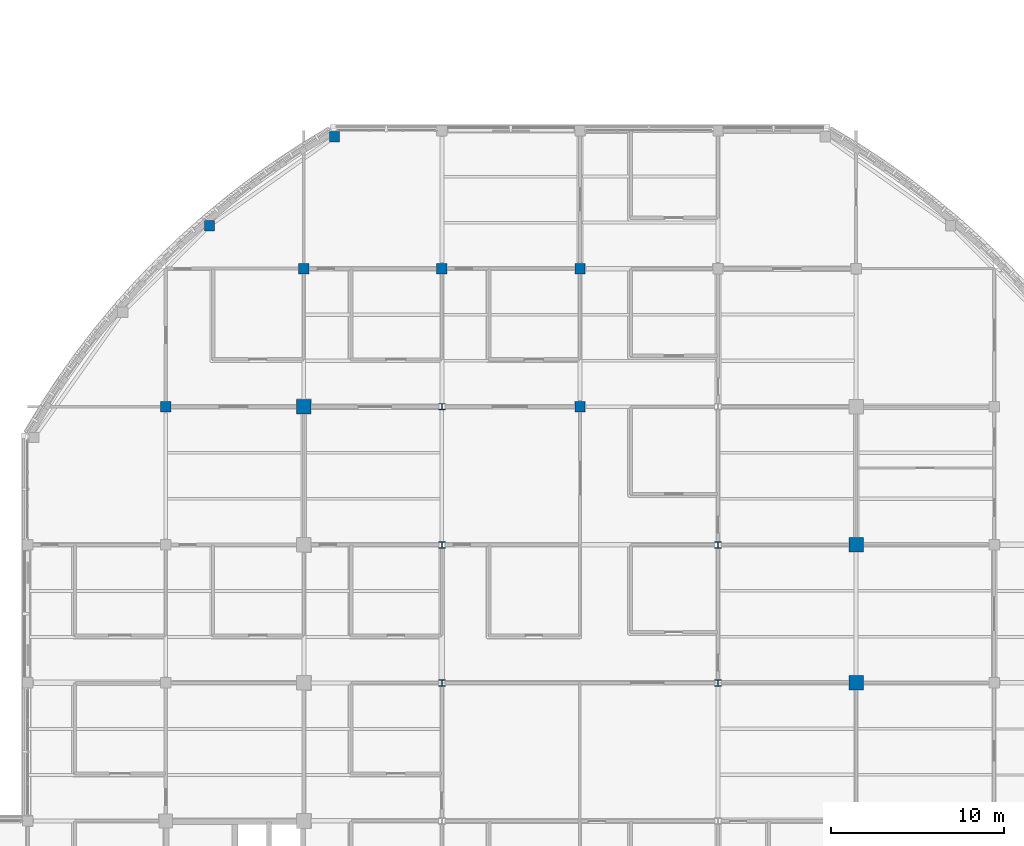
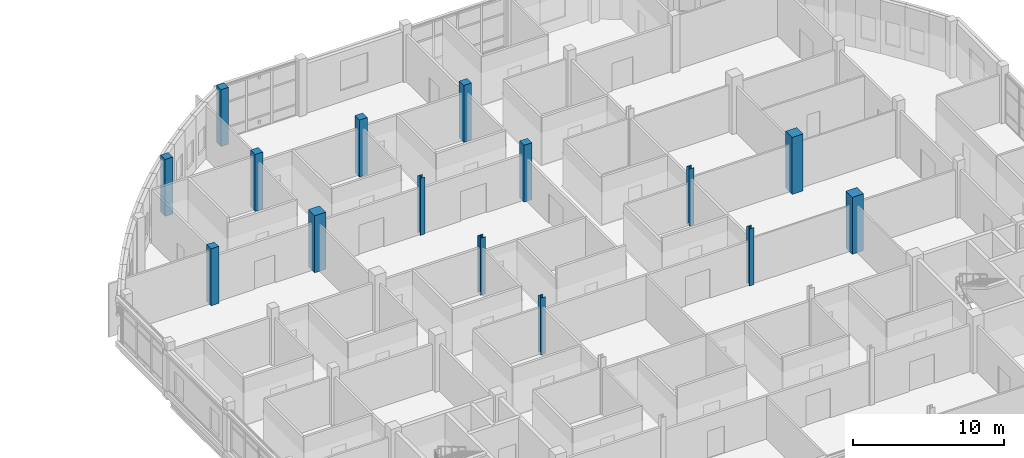
# One storey, part 6 of 121: 15 columns.
"""IFC4 building model written with IfcOpenShell, lengths in metres."""

from ifc_helpers import new_model, si_unit, derived_unit, direction, frame, origin, origin_2d, place, context, subcontext, project, spatial, rectangle, i_section, extrude, material, material_profile, profile_set, type_object, element, save


model = new_model("IFC4")

# Units and contexts
model_context = context("Model", 3, precision=1e-05, world=origin(), true_north=direction((0.0, 1.0)))
body_context = subcontext(model_context, "Body", "Model", "MODEL_VIEW")
ifc_project = project(units=[si_unit("LENGTHUNIT", "METRE"), si_unit("AREAUNIT", "SQUARE_METRE"), si_unit("VOLUMEUNIT", "CUBIC_METRE"), si_unit("PLANEANGLEUNIT", "RADIAN"), si_unit("MASSUNIT", "GRAM", prefix="KILO"), derived_unit("THERMALTRANSMITTANCEUNIT", [(si_unit("MASSUNIT", "GRAM", prefix="KILO"), 1), (si_unit("TIMEUNIT", "SECOND"), -3), (si_unit("THERMODYNAMICTEMPERATUREUNIT", "KELVIN"), -1)])], contexts=[model_context])

# Site, building, storey
site_placement = place(None, origin())
site = spatial("IfcSite", under=ifc_project, at=site_placement, CompositionType="ELEMENT")
building_placement = place(site_placement, origin())
building = spatial("IfcBuilding", under=site, at=building_placement, Name="Veyamyaing Civic Hall", CompositionType="ELEMENT")
storey_placement = place(building_placement, frame((0.0, 0.0, 5.280029296875)))
storey = spatial("IfcBuildingStorey", under=building, at=storey_placement, Name="L01", CompositionType="ELEMENT", Elevation=5.280029296875)

# Columns
ifc_material_1 = material(Name="Concrete C45/55", Category="concrete")
ifc_material_profile_1 = material_profile(ifc_material_1, rectangle(XDim=0.85009765625, YDim=0.85009765625, at=origin_2d()), Name="RC-COL-850X850")
ifc_profile_set_1 = profile_set([ifc_material_profile_1], Name="Concrete C45/55")
column_type_1 = type_object("IfcColumnType", Name="C-01", PredefinedType="COLUMN", material=ifc_profile_set_1)
for number, where, z_axis, x_axis, name in (
    (1, (72.0, 80.0, 0.0), (0.0, 0.0, 1.0), (1.0, 0.0, 0.0), "Column C-01 10-L L01"),
    (2, (104.0, 64.0, 0.0), (0.0, 0.0, 1.0), (1.0, 0.0, 0.0), "Column C-01 14-J L01"),
    (3, (104.0, 72.0, 0.0), (0.0, 0.0, 1.0), (1.0, 0.0, 0.0), "Column C-01 14-K L01"),
):
    element("IfcColumn", number, at=place(storey_placement, frame(where, z_axis=z_axis, x_axis=x_axis)), inside=storey, type_object=column_type_1, Name=name, PredefinedType="COLUMN", context=body_context, shape_type="SweptSolid", body=[
        extrude(rectangle(XDim=0.85009765625, YDim=0.85009765625, at=origin_2d()), origin(), (0.0, 0.0, 1.0), 4.619873046875),
    ])
ifc_material_profile_2 = material_profile(ifc_material_1, rectangle(XDim=0.60009765625, YDim=0.60009765625, at=origin_2d()), Name="RC-COL-600X600")
ifc_profile_set_2 = profile_set([ifc_material_profile_2], Name="Concrete C45/55")
column_type_2 = type_object("IfcColumnType", Name="C-06", PredefinedType="COLUMN", material=ifc_profile_set_2)
for number, where, z_axis, x_axis, name in (
    (4, (64.0, 80.0, 0.0), (0.0, 0.0, 1.0), (1.0, 0.0, 0.0), "Column C-06 9-L L01"),
    (5, (72.0, 88.0, 0.0), (0.0, 0.0, 1.0), (1.0, 0.0, 0.0), "Column C-06 10-M L01"),
    (6, (80.0, 88.0, 0.0), (0.0, 0.0, 1.0), (1.0, 0.0, 0.0), "Column C-06 11-M L01"),
    (7, (88.0, 80.0, 0.0), (0.0, 0.0, 1.0), (1.0, 0.0, 0.0), "Column C-06 12-L L01"),
    (8, (88.0, 88.0, 0.0), (0.0, 0.0, 1.0), (1.0, 0.0, 0.0), "Column C-06 12-M L01"),
    (9, (73.779296875, 95.63623046875, 0.0), (0.0, 0.0, 1.0), (1.0, 0.0, 0.0), "Curved corner column C-06 ARC-NW-00 L01"),
    (10, (66.533447265625, 90.4951171875, 0.0), (0.0, 0.0, 1.0), (1.0, 0.0, 0.0), "Curved corner column C-06 ARC-NW-05 L01"),
):
    element("IfcColumn", number, at=place(storey_placement, frame(where, z_axis=z_axis, x_axis=x_axis)), inside=storey, type_object=column_type_2, Name=name, PredefinedType="COLUMN", context=body_context, shape_type="SweptSolid", body=[
        extrude(rectangle(XDim=0.60009765625, YDim=0.60009765625, at=origin_2d()), origin(), (0.0, 0.0, 1.0), 4.619873046875),
    ])
ifc_material_2 = material(Name="Steel S355J2", Category="steel")
ifc_material_profile_3 = material_profile(ifc_material_2, i_section(OverallWidth=0.3740234375, OverallDepth=0.3720703125, WebThickness=0.016357421875, FlangeThickness=0.026123046875, FilletRadius=0.014892578125, at=origin_2d()), Name="W360X196")
ifc_profile_set_3 = profile_set([ifc_material_profile_3], Name="Steel S355J2")
column_type_3 = type_object("IfcColumnType", Name="C-09", PredefinedType="COLUMN", material=ifc_profile_set_3)
for number, where, z_axis, x_axis, name in (
    (11, (80.0, 64.0, 0.0), (0.0, 0.0, 1.0), (1.0, 0.0, 0.0), "Column C-09 11-J L01"),
    (12, (80.0, 72.0, 0.0), (0.0, 0.0, 1.0), (1.0, 0.0, 0.0), "Column C-09 11-K L01"),
    (13, (80.0, 80.0, 0.0), (0.0, 0.0, 1.0), (1.0, 0.0, 0.0), "Column C-09 11-L L01"),
    (14, (96.0, 64.0, 0.0), (0.0, 0.0, 1.0), (1.0, 0.0, 0.0), "Column C-09 13-J L01"),
    (15, (96.0, 72.0, 0.0), (0.0, 0.0, 1.0), (1.0, 0.0, 0.0), "Column C-09 13-K L01"),
):
    element("IfcColumn", number, at=place(storey_placement, frame(where, z_axis=z_axis, x_axis=x_axis)), inside=storey, type_object=column_type_3, Name=name, PredefinedType="COLUMN", context=body_context, shape_type="SweptSolid", body=[
        extrude(i_section(OverallWidth=0.3740234375, OverallDepth=0.3720703125, WebThickness=0.016357421875, FlangeThickness=0.026123046875, FilletRadius=0.014892578125, at=origin_2d()), origin(), (0.0, 0.0, 1.0), 4.619873046875),
    ])

save(model, "model.ifc")
